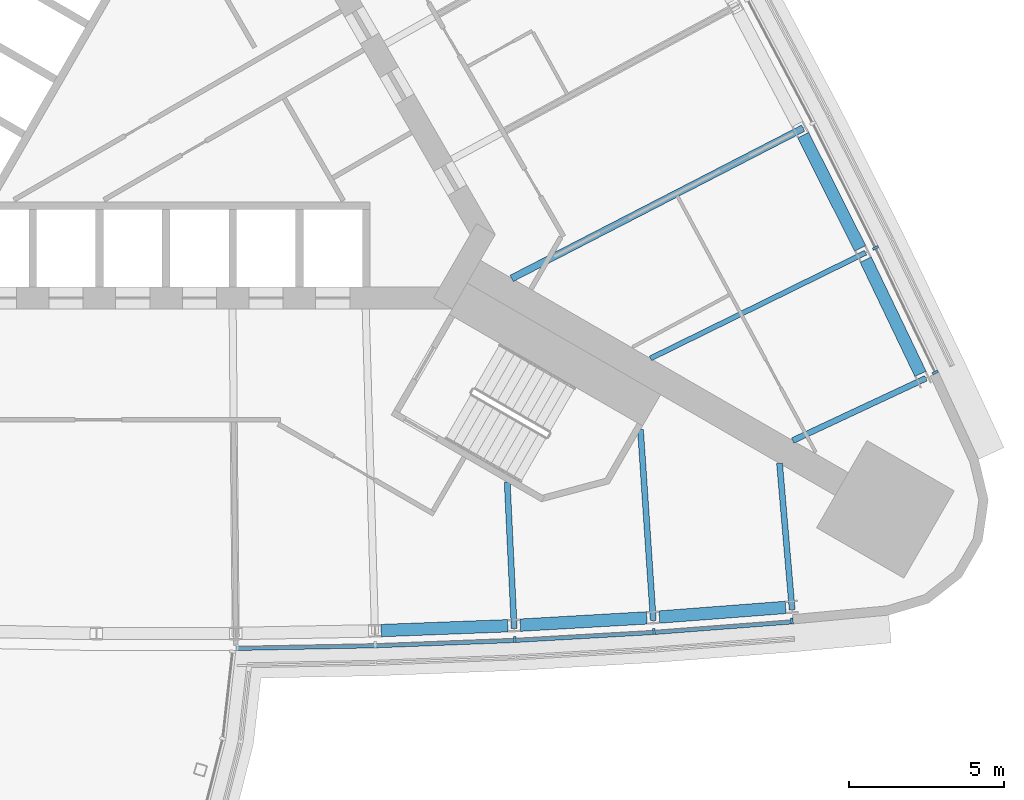
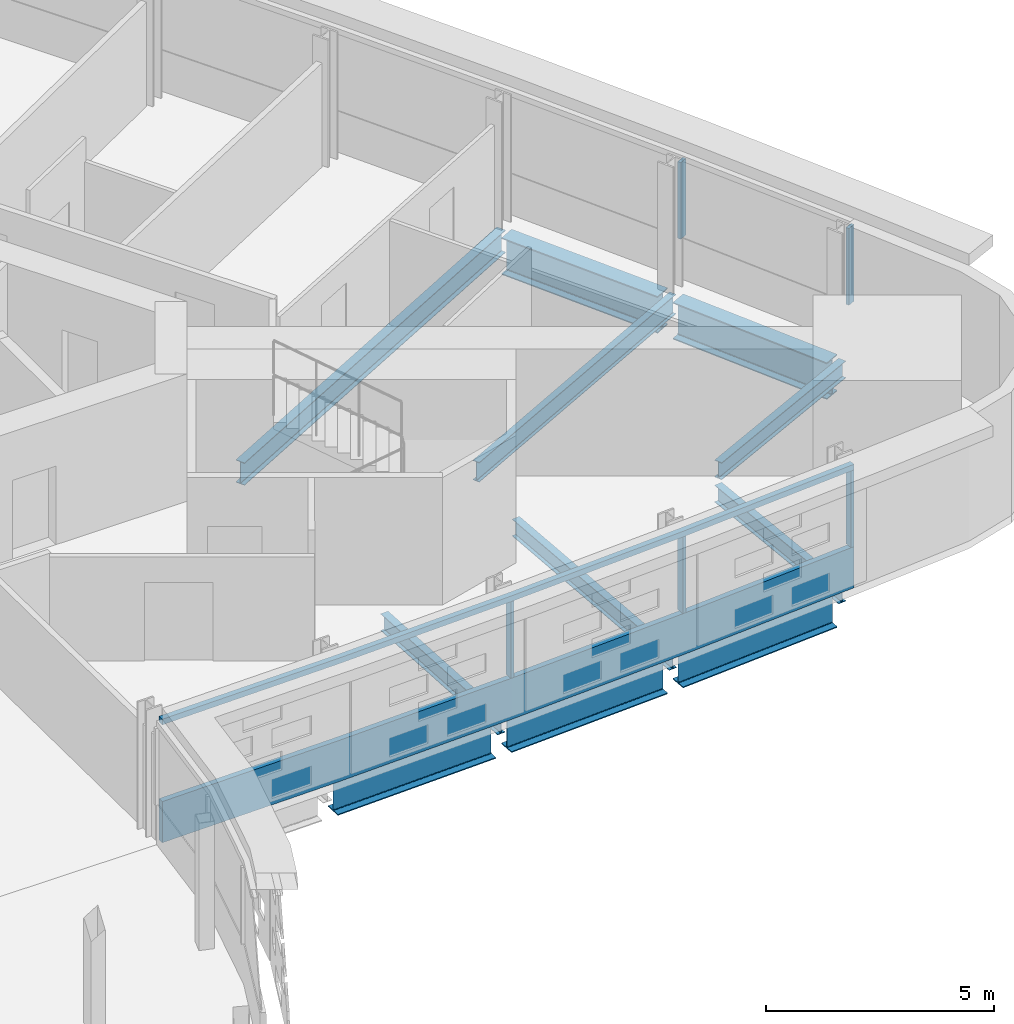
# One storey, part 4 of 15: 11 beams, 7 members, 2 elements without a shape of their own.
"""IFC4 building model written with IfcOpenShell, lengths in metres."""

from ifc_helpers import new_model, si_unit, direction, frame, origin, origin_2d, place, context, subcontext, project, spatial, polyline, rectangle, i_section, outline, extrude, material, material_profile, profile_set, type_object, element, aggregate, save


model = new_model("IFC4")

# Units and contexts
model_context = context("Model", 3, precision=1e-05, world=origin(), true_north=direction((0.0, 1.0)))
body_context = subcontext(model_context, "Body", "Model", "MODEL_VIEW")
ifc_project = project(units=[si_unit("LENGTHUNIT", "METRE"), si_unit("AREAUNIT", "SQUARE_METRE"), si_unit("VOLUMEUNIT", "CUBIC_METRE"), si_unit("PLANEANGLEUNIT", "RADIAN"), si_unit("MASSUNIT", "GRAM", prefix="KILO")], contexts=[model_context])

# Site, building, storey
site_placement = place(None, origin())
site = spatial("IfcSite", under=ifc_project, at=site_placement, CompositionType="ELEMENT")
building_placement = place(site_placement, origin())
building = spatial("IfcBuilding", under=site, at=building_placement, Name="Noor Cloister Tower", CompositionType="ELEMENT")
storey_placement = place(building_placement, frame((0.0, 0.0, 58.199951171875)))
storey = spatial("IfcBuildingStorey", under=building, at=storey_placement, Name="L14", CompositionType="ELEMENT", Elevation=58.199951171875)

# Beams
ifc_material_1 = material(Name="Steel ASTM A992 Gr 50", Category="steel")
ifc_material_profile_1 = material_profile(ifc_material_1, i_section(OverallWidth=0.40087890625, OverallDepth=0.98291015625, WebThickness=0.0166015625, FlangeThickness=0.027099609375, FilletRadius=0.030029296875, at=origin_2d()), Name="W1000x296")
ifc_profile_set_1 = profile_set([ifc_material_profile_1], Name="Steel ASTM A992 Gr 50")
beam_type_1 = type_object("IfcBeamType", Name="Belt chord girder W1000x296", PredefinedType="BEAM", material=ifc_profile_set_1)
for number, where, z_axis, x_axis, name in (
    (1, (6.93505859375, -17.30078125, -0.69140625), (0.999270676901, 0.03818526268, 0.0), (-0.03818526268, 0.999270676901, 0.0), "Spandrel beam S 07 L14"),
    (2, (11.421142578125, -17.12548828125, -0.69140625), (0.998356421162, 0.057310176457, 0.0), (-0.057310176457, 0.998356421162, 0.0), "Spandrel beam S 08 L14"),
    (3, (15.903076171875, -16.864501953125, -0.69140625), (0.997083939733, 0.076312627572, 0.0), (-0.076312627572, 0.997083939733, 0.0), "Spandrel beam S 09 L14"),
):
    element("IfcBeam", number, at=place(storey_placement, frame(where, z_axis=z_axis, x_axis=x_axis)), inside=storey, type_object=beam_type_1, Name=name, PredefinedType="BEAM", context=body_context, shape_type="SweptSolid", body=[
        extrude(i_section(OverallWidth=0.40087890625, OverallDepth=0.98291015625, WebThickness=0.0166015625, FlangeThickness=0.027099609375, FilletRadius=0.030029296875, at=origin_2d()), origin(), (0.0, 0.0, 1.0), 4.08544921875),
    ])
beam_1_placement = place(storey_placement, frame((24.3232421875, -9.023681640625, -0.69140625), z_axis=(-0.432427965781, 0.901668483652, 0.0), x_axis=(-0.901668483652, -0.432427965781, 0.0)))
element("IfcBeam", 4, at=beam_1_placement, inside=storey, type_object=beam_type_1, Name="Spandrel beam NE 01 L14", PredefinedType="BEAM", context=body_context, shape_type="SweptSolid", body=[
    extrude(i_section(OverallWidth=0.40087890625, OverallDepth=0.98291015625, WebThickness=0.0166015625, FlangeThickness=0.027099609375, FilletRadius=0.030029296875, at=origin_2d()), origin(), (0.0, 0.0, 1.0), 4.085205078125),
])
beam_2_placement = place(storey_placement, frame((22.37841796875, -4.9775390625, -0.69140625), z_axis=(-0.449626227314, 0.893216802188, 0.0), x_axis=(-0.893216802188, -0.449626227314, 0.0)))
element("IfcBeam", 5, at=beam_2_placement, inside=storey, type_object=beam_type_1, Name="Spandrel beam NE 02 L14", PredefinedType="BEAM", context=body_context, shape_type="SweptSolid", body=[
    extrude(i_section(OverallWidth=0.40087890625, OverallDepth=0.98291015625, WebThickness=0.0166015625, FlangeThickness=0.027099609375, FilletRadius=0.030029296875, at=origin_2d()), origin(), (0.0, 0.0, 1.0), 4.08544921875),
])

# Curtain wall, members
ifc_material_2 = material(Name="Aluminium 6063-T6 anodised", Category="aluminium")
curtain_wall_type = type_object("IfcCurtainWallType", Name="Ribbon curtain wall, lower tower CW1", PredefinedType="NOTDEFINED", material=ifc_material_2)
curtain_wall_1_placement = place(storey_placement, origin())
curtain_wall_1 = element("IfcCurtainWall", 6, at=curtain_wall_1_placement, inside=storey, type_object=curtain_wall_type, Name="CW1 L14 S run 3", PredefinedType="NOTDEFINED")
ifc_material_3 = material(Name="Aluminium 6063-T6 anodised", Category="aluminium")
member_type_1 = type_object("IfcMemberType", Name="Head transom CW1 150", PredefinedType="USERDEFINED", material=ifc_material_3)
member_1_placement = place(storey_placement, frame((0.0, 0.0, 3.150146484375)))
member_1 = element("IfcMember", 7, at=member_1_placement, type_object=member_type_1, Name="CW1 head transom", ObjectType="TRANSOM", PredefinedType="USERDEFINED", context=body_context, shape_type="SweptSolid", body=[
    extrude(outline(polyline([(2.25, -17.944091796875), (6.7490234375, -17.858154296875), (11.24560546875, -17.686279296875), (15.73828125, -17.4287109375), (20.22509765625, -17.085205078125), (20.21435546875, -16.94580078125), (15.72900390625, -17.2890625), (11.239013671875, -17.54638671875), (6.7451171875, -17.71826171875), (2.247314453125, -17.80419921875), (2.25, -17.944091796875)])), origin(), (0.0, 0.0, 1.0), 0.14990234375),
])
ifc_material_4 = material(Name="Aluminium 6063-T6 anodised", Category="aluminium")
ifc_material_profile_2 = material_profile(ifc_material_4, rectangle(XDim=0.199951171875, YDim=0.080078125, at=origin_2d()), Name="200 x 80 mullion")
ifc_profile_set_2 = profile_set([ifc_material_profile_2], Name="Aluminium 6063-T6 anodised")
member_type_2 = type_object("IfcMemberType", Name="Mullion CW1 80 x 200", PredefinedType="MULLION", material=ifc_profile_set_2)
member_2_placement = place(storey_placement, frame((11.240966796875, -17.58642578125, 1.10009765625), z_axis=(0.0, 0.0, 1.0), x_axis=(-0.047722608643, 0.998860627227, 0.0)))
member_2 = element("IfcMember", 8, at=member_2_placement, type_object=member_type_2, Name="CW1 mullion 3", PredefinedType="MULLION", context=body_context, shape_type="SweptSolid", body=[
    extrude(rectangle(XDim=0.199951171875, YDim=0.080078125, at=origin_2d()), origin(), (0.0, 0.0, 1.0), 2.050048828125),
])
member_3_placement = place(storey_placement, frame((15.731689453125, -17.328857421875, 1.10009765625), z_axis=(0.0, 0.0, 1.0), x_axis=(-0.066787283473, 0.997767236767, 0.0)))
member_3 = element("IfcMember", 9, at=member_3_placement, type_object=member_type_2, Name="CW1 mullion 4", PredefinedType="MULLION", context=body_context, shape_type="SweptSolid", body=[
    extrude(rectangle(XDim=0.199951171875, YDim=0.080078125, at=origin_2d()), origin(), (0.0, 0.0, 1.0), 2.050048828125),
])
member_4_placement = place(storey_placement, frame((20.177490234375, -16.988525390625, 1.10009765625), z_axis=(0.0, 0.0, 1.0), x_axis=(-0.076310930849, 0.997084069591, 0.0)))
member_4 = element("IfcMember", 10, at=member_4_placement, type_object=member_type_2, Name="CW1 mullion 5", PredefinedType="MULLION", context=body_context, shape_type="SweptSolid", body=[
    extrude(rectangle(XDim=0.199951171875, YDim=0.080078125, at=origin_2d()), origin(), (0.0, 0.0, 1.0), 2.050048828125),
])

curtain_wall_2_placement = place(storey_placement, origin())
curtain_wall_2 = element("IfcCurtainWall", 11, at=curtain_wall_2_placement, inside=storey, type_object=curtain_wall_type, Name="CW1 L14 NE run 4", PredefinedType="NOTDEFINED")
member_5_placement = place(storey_placement, frame((24.80126953125, -8.97998046875, 1.10009765625), z_axis=(0.0, 0.0, 1.0), x_axis=(-0.9016555994, -0.432454830094, 0.0)))
member_5 = element("IfcMember", 12, at=member_5_placement, type_object=member_type_2, Name="CW1 mullion 1", PredefinedType="MULLION", context=body_context, shape_type="SweptSolid", body=[
    extrude(rectangle(XDim=0.199951171875, YDim=0.080078125, at=origin_2d()), origin(), (0.0, 0.0, 1.0), 2.050048828125),
])
member_6_placement = place(storey_placement, frame((22.873046875, -4.95947265625, 1.10009765625), z_axis=(0.0, 0.0, 1.0), x_axis=(-0.897485415841, -0.441044134246, 0.0)))
member_6 = element("IfcMember", 13, at=member_6_placement, type_object=member_type_2, Name="CW1 mullion 2", PredefinedType="MULLION", context=body_context, shape_type="SweptSolid", body=[
    extrude(rectangle(XDim=0.199951171875, YDim=0.080078125, at=origin_2d()), origin(), (0.0, 0.0, 1.0), 2.050048828125),
])
aggregate(curtain_wall_2, [member_5, member_6])

# Beams
ifc_material_5 = material(Name="Steel ASTM A992 Gr 50", Category="steel")
ifc_material_profile_3 = material_profile(ifc_material_5, i_section(OverallWidth=0.19091796875, OverallDepth=0.45703125, WebThickness=0.009033203125, FlangeThickness=0.014404296875, FilletRadius=0.01025390625, at=origin_2d()), Name="W460x74")
ifc_profile_set_3 = profile_set([ifc_material_profile_3], Name="Steel ASTM A992 Gr 50")
beam_type_2 = type_object("IfcBeamType", Name="Radial beam W460x74", PredefinedType="BEAM", material=ifc_profile_set_3)
beam_3_placement = place(storey_placement, frame((11.22412109375, -17.23388671875, -0.428466796875), z_axis=(-0.047709887881, 0.998861234906, 0.0), x_axis=(-0.998861234906, -0.047709887881, 0.0)))
element("IfcBeam", 14, at=beam_3_placement, inside=storey, type_object=beam_type_2, Name="Radial beam S 08 L14", PredefinedType="BEAM", context=body_context, shape_type="SweptSolid", body=[
    extrude(i_section(OverallWidth=0.19091796875, OverallDepth=0.45703125, WebThickness=0.009033203125, FlangeThickness=0.014404296875, FilletRadius=0.01025390625, at=origin_2d()), origin(), (0.0, 0.0, 1.0), 4.728271484375),
])
beam_4_placement = place(storey_placement, frame((15.7080078125, -16.976806640625, -0.428466796875), z_axis=(-0.066781591545, 0.99776761775, 0.0), x_axis=(-0.99776761775, -0.066781591545, 0.0)))
element("IfcBeam", 15, at=beam_4_placement, inside=storey, type_object=beam_type_2, Name="Radial beam S 09 L14", PredefinedType="BEAM", context=body_context, shape_type="SweptSolid", body=[
    extrude(i_section(OverallWidth=0.19091796875, OverallDepth=0.45703125, WebThickness=0.009033203125, FlangeThickness=0.014404296875, FilletRadius=0.01025390625, at=origin_2d()), origin(), (0.0, 0.0, 1.0), 6.1708984375),
])
for number, where, z_axis, x_axis, name in (
    (16, (20.186279296875, -16.634033203125, -0.428466796875), (-0.085840752888, 0.996308870353, 0.0), (-0.996308870353, -0.085840752888, 0.0), "Radial beam S 10 L14"),
    (17, (24.49853515625, -9.164794921875, -0.428466796875), (-0.905732710041, -0.423849334035, 0.0), (0.423849334035, -0.905732710041, 0.0), "Radial beam NE 01 L14"),
):
    element("IfcBeam", number, at=place(storey_placement, frame(where, z_axis=z_axis, x_axis=x_axis)), inside=storey, type_object=beam_type_2, Name=name, PredefinedType="BEAM", context=body_context, shape_type="SweptSolid", body=[
        extrude(i_section(OverallWidth=0.19091796875, OverallDepth=0.45703125, WebThickness=0.009033203125, FlangeThickness=0.014404296875, FilletRadius=0.01025390625, at=origin_2d()), origin(), (0.0, 0.0, 1.0), 4.7412109375),
    ])
ifc_material_6 = material(Name="Steel ASTM A992 Gr 50", Category="steel")
ifc_material_profile_4 = material_profile(ifc_material_6, i_section(OverallWidth=0.166015625, OverallDepth=0.528076171875, WebThickness=0.009765625, FlangeThickness=0.013671875, FilletRadius=0.0126953125, at=origin_2d()), Name="W530x74")
ifc_profile_set_4 = profile_set([ifc_material_profile_4], Name="Steel ASTM A992 Gr 50")
beam_type_3 = type_object("IfcBeamType", Name="Radial beam W530x74", PredefinedType="BEAM", material=ifc_profile_set_4)
beam_5_placement = place(storey_placement, frame((22.55615234375, -5.115234375, -0.4638671875), z_axis=(-0.897487674389, -0.441039538273, 0.0), x_axis=(0.441039538273, -0.897487674389, 0.0)))
element("IfcBeam", 18, at=beam_5_placement, inside=storey, type_object=beam_type_3, Name="Radial beam NE 02 L14", PredefinedType="BEAM", context=body_context, shape_type="SweptSolid", body=[
    extrude(i_section(OverallWidth=0.166015625, OverallDepth=0.528076171875, WebThickness=0.009765625, FlangeThickness=0.013671875, FilletRadius=0.0126953125, at=origin_2d()), origin(), (0.0, 0.0, 1.0), 7.732177734375),
])
ifc_material_7 = material(Name="Steel ASTM A992 Gr 50", Category="steel")
ifc_material_profile_5 = material_profile(ifc_material_7, i_section(OverallWidth=0.22802734375, OverallDepth=0.60205078125, WebThickness=0.010498046875, FlangeThickness=0.014892578125, FilletRadius=0.0126953125, at=origin_2d()), Name="W610x101")
ifc_profile_set_5 = profile_set([ifc_material_profile_5], Name="Steel ASTM A992 Gr 50")
beam_type_4 = type_object("IfcBeamType", Name="Radial beam W610x101", PredefinedType="BEAM", material=ifc_profile_set_5)
beam_6_placement = place(storey_placement, frame((20.537109375, -1.103515625, -0.5009765625), z_axis=(-0.888902998101, -0.458095470363, 0.0), x_axis=(0.458095470363, -0.888902998101, 0.0)))
element("IfcBeam", 19, at=beam_6_placement, inside=storey, type_object=beam_type_4, Name="Radial beam NE 03 L14", PredefinedType="BEAM", context=body_context, shape_type="SweptSolid", body=[
    extrude(i_section(OverallWidth=0.22802734375, OverallDepth=0.60205078125, WebThickness=0.010498046875, FlangeThickness=0.014892578125, FilletRadius=0.0126953125, at=origin_2d()), origin(), (0.0, 0.0, 1.0), 10.566162109375),
])

# Member
ifc_material_8 = material(Name="Aluminium 6063-T6 anodised", Category="aluminium")
member_type_3 = type_object("IfcMemberType", Name="Sill transom CW1 1100", PredefinedType="USERDEFINED", material=ifc_material_8)
member_7_placement = place(storey_placement, origin())
member_7 = element("IfcMember", 20, at=member_7_placement, type_object=member_type_3, Name="CW1 sill transom", ObjectType="TRANSOM", PredefinedType="USERDEFINED", context=body_context, shape_type="SweptSolid", body=[
    extrude(outline(polyline([(2.25, -17.944091796875), (6.7490234375, -17.858154296875), (11.24560546875, -17.686279296875), (15.73828125, -17.4287109375), (20.22509765625, -17.085205078125), (20.21435546875, -16.94580078125), (15.72900390625, -17.2890625), (11.239013671875, -17.54638671875), (6.7451171875, -17.71826171875), (2.247314453125, -17.80419921875), (2.25, -17.944091796875)])), origin(), (0.0, 0.0, 1.0), 1.10009765625),
])

aggregate(curtain_wall_1, [member_2, member_3, member_4, member_7, member_1])

save(model, "model.ifc")
